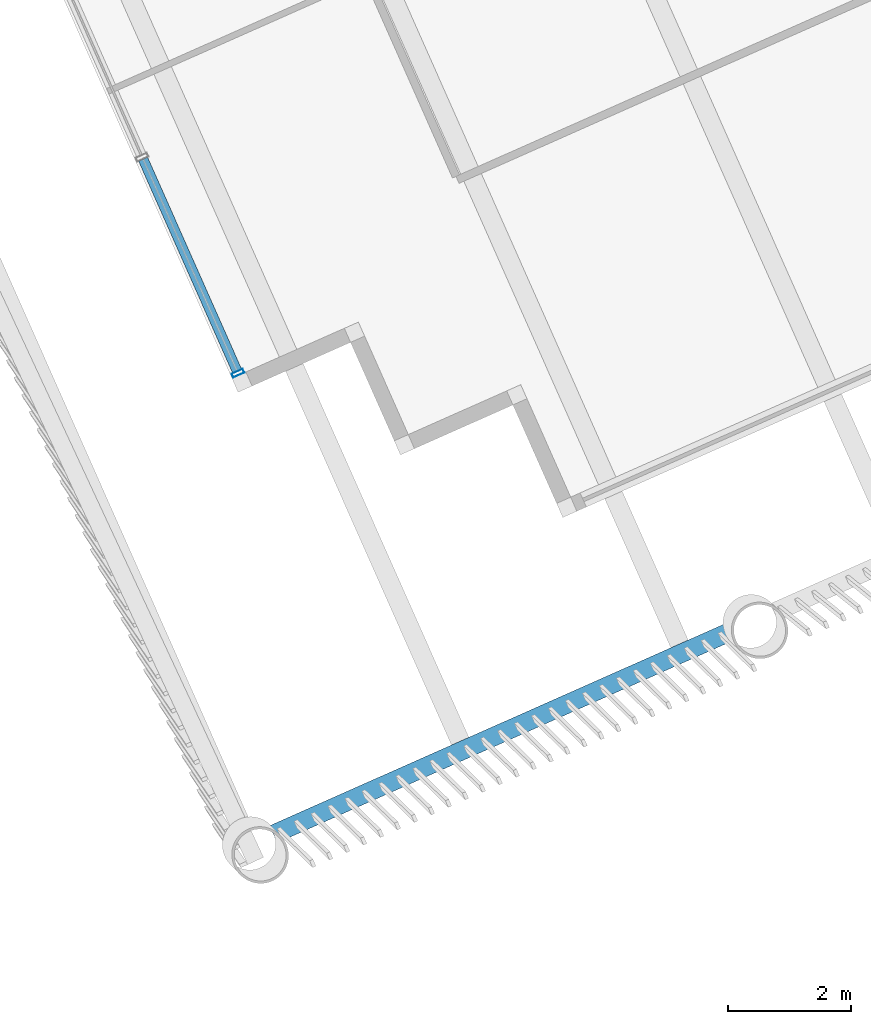
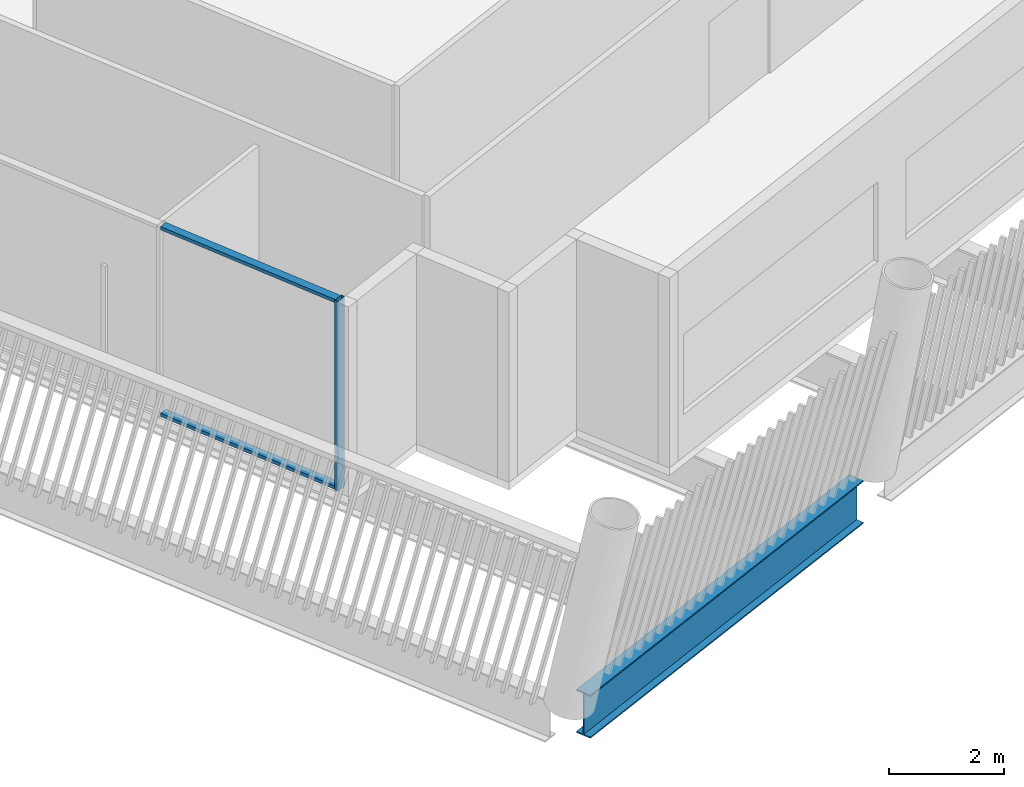
# One storey, part 2 of 28: 3 members, 1 beam, 1 element without a shape of its own.
"""IFC4 building model written with IfcOpenShell, lengths in metres."""

from ifc_helpers import new_model, si_unit, direction, frame, origin, origin_2d, place, context, subcontext, project, spatial, hollow_rectangle, i_section, extrude, material, layer, layer_set, material_profile, profile_set, type_object, element, aggregate, save


model = new_model("IFC4")

# Units and contexts
model_context = context("Model", 3, precision=1e-05, world=origin(), true_north=direction((0.0, 1.0)))
body_context = subcontext(model_context, "Body", "Model", "MODEL_VIEW")
ifc_project = project(units=[si_unit("LENGTHUNIT", "METRE"), si_unit("AREAUNIT", "SQUARE_METRE"), si_unit("VOLUMEUNIT", "CUBIC_METRE"), si_unit("PLANEANGLEUNIT", "RADIAN"), si_unit("MASSUNIT", "GRAM", prefix="KILO")], contexts=[model_context])

# Site, building, storey
site_placement = place(None, origin())
site = spatial("IfcSite", under=ifc_project, at=site_placement, CompositionType="ELEMENT")
building_placement = place(site_placement, origin())
building = spatial("IfcBuilding", under=site, at=building_placement, Name="Tarsis Ring Headquarters", CompositionType="ELEMENT")
storey_placement = place(building_placement, frame((0.0, 0.0, 381.800048828125)))
storey = spatial("IfcBuildingStorey", under=building, at=storey_placement, Name="L90", CompositionType="ELEMENT", Elevation=381.800048828125)

# Curtain wall, members
ifc_material_1 = material(Name="Aluminium curtain wall", Category="aluminium")
ifc_layer = layer(ifc_material_1, 0.199951171875)
ifc_layer_set = layer_set([ifc_layer], Name="Curtain wall executive tip")
curtain_wall_type = type_object("IfcCurtainWallType", Name="Curtain wall executive tip", PredefinedType="NOTDEFINED", material=ifc_layer_set)
curtain_wall_placement = place(storey_placement, origin())
curtain_wall = element("IfcCurtainWall", 1, at=curtain_wall_placement, inside=storey, type_object=curtain_wall_type, Name="Curtain wall L90-36", PredefinedType="NOTDEFINED")
ifc_material_2 = material(Name="Aluminium mullion", Category="aluminium")
ifc_material_profile_1 = material_profile(ifc_material_2, hollow_rectangle(XDim=0.199951171875, YDim=0.070068359375, WallThickness=0.0048828125, at=origin_2d()), Name="RHS 200x70x5")
ifc_profile_set_1 = profile_set([ifc_material_profile_1], Name="Aluminium mullion")
member_type_1 = type_object("IfcMemberType", Name="Curtain wall mullion executive tip RHS 200x70x5", PredefinedType="MULLION", material=ifc_profile_set_1)
member_1_placement = place(storey_placement, frame((-33.322021484375, -23.22021484375, 0.0), z_axis=(0.0, 0.0, 1.0), x_axis=(0.914112445397, 0.405460771432, 0.0)))
member_1 = element("IfcMember", 2, at=member_1_placement, type_object=member_type_1, Name="CW-E mullion 5", PredefinedType="MULLION", context=body_context, shape_type="SweptSolid", body=[
    extrude(hollow_rectangle(XDim=0.199951171875, YDim=0.070068359375, WallThickness=0.0048828125, at=origin_2d()), origin(), (0.0, 0.0, 1.0), 4.0400390625),
])
ifc_material_3 = material(Name="Aluminium transom", Category="aluminium")
ifc_material_profile_2 = material_profile(ifc_material_3, hollow_rectangle(XDim=0.159912109375, YDim=0.070068359375, WallThickness=0.0048828125, at=origin_2d()), Name="RHS 160x70x5")
ifc_profile_set_2 = profile_set([ifc_material_profile_2], Name="Aluminium transom")
member_type_2 = type_object("IfcMemberType", Name="Curtain wall transom executive tip RHS 160x70x5", PredefinedType="USERDEFINED", material=ifc_profile_set_2)
member_2_placement = place(storey_placement, frame((-34.864990234375, -19.741943359375, 0.034912109375), z_axis=(0.405501489732, -0.914094383434, 0.0), x_axis=(0.914094383434, 0.405501489732, 0.0)))
member_2 = element("IfcMember", 3, at=member_2_placement, type_object=member_type_2, Name="CW-E transom 4.1", ObjectType="TRANSOM", PredefinedType="USERDEFINED", context=body_context, shape_type="SweptSolid", body=[
    extrude(hollow_rectangle(XDim=0.159912109375, YDim=0.070068359375, WallThickness=0.0048828125, at=origin_2d()), origin(), (0.0, 0.0, 1.0), 3.770263671875),
])
member_3_placement = place(storey_placement, frame((-34.864990234375, -19.741943359375, 4.0048828125), z_axis=(0.405501489732, -0.914094383434, 0.0), x_axis=(0.914094383434, 0.405501489732, 0.0)))
member_3 = element("IfcMember", 4, at=member_3_placement, type_object=member_type_2, Name="CW-E transom 4.2", ObjectType="TRANSOM", PredefinedType="USERDEFINED", context=body_context, shape_type="SweptSolid", body=[
    extrude(hollow_rectangle(XDim=0.159912109375, YDim=0.070068359375, WallThickness=0.0048828125, at=origin_2d()), origin(), (0.0, 0.0, 1.0), 3.770263671875),
])
aggregate(curtain_wall, [member_1, member_2, member_3])

# Beam
ifc_material_4 = material(Name="Structural steel S355", Category="steel")
ifc_material_profile_3 = material_profile(ifc_material_4, i_section(OverallWidth=0.3046875, OverallDepth=0.91943359375, WebThickness=0.017333984375, FlangeThickness=0.02783203125, at=origin_2d()), Name="W36x170")
ifc_profile_set_3 = profile_set([ifc_material_profile_3], Name="Structural steel S355")
beam_type = type_object("IfcBeamType", Name="XG Ring girder W36x170", PredefinedType="BEAM", material=ifc_profile_set_3)
beam_placement = place(storey_placement, frame((-32.7470703125, -30.7158203125, -0.459716796875), z_axis=(0.914112849766, 0.405459859779, 0.0), x_axis=(-0.405459859779, 0.914112849766, 0.0)))
element("IfcBeam", 5, at=beam_placement, inside=storey, type_object=beam_type, Name="Ring girder XG4", PredefinedType="BEAM", context=body_context, shape_type="SweptSolid", body=[
    extrude(i_section(OverallWidth=0.3046875, OverallDepth=0.91943359375, WebThickness=0.017333984375, FlangeThickness=0.02783203125, at=origin_2d()), origin(), (0.0, 0.0, 1.0), 8.079345703125),
])

save(model, "model.ifc")
